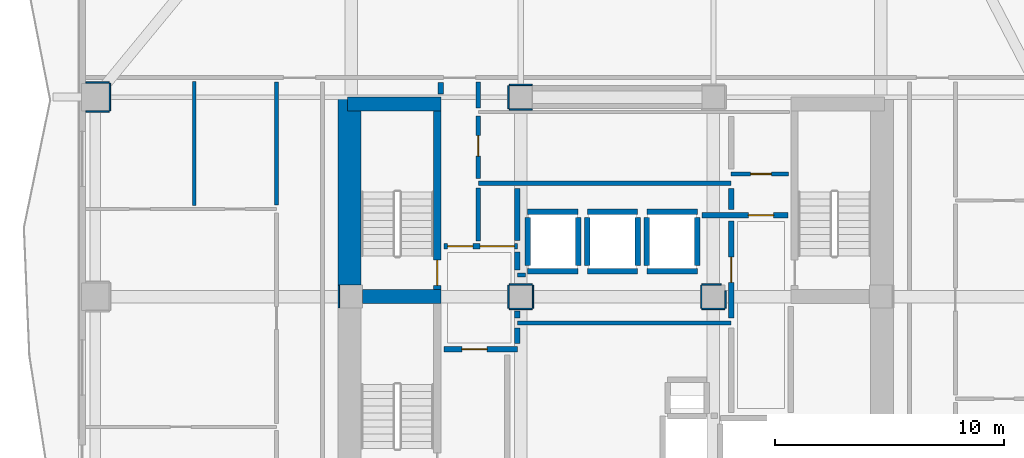
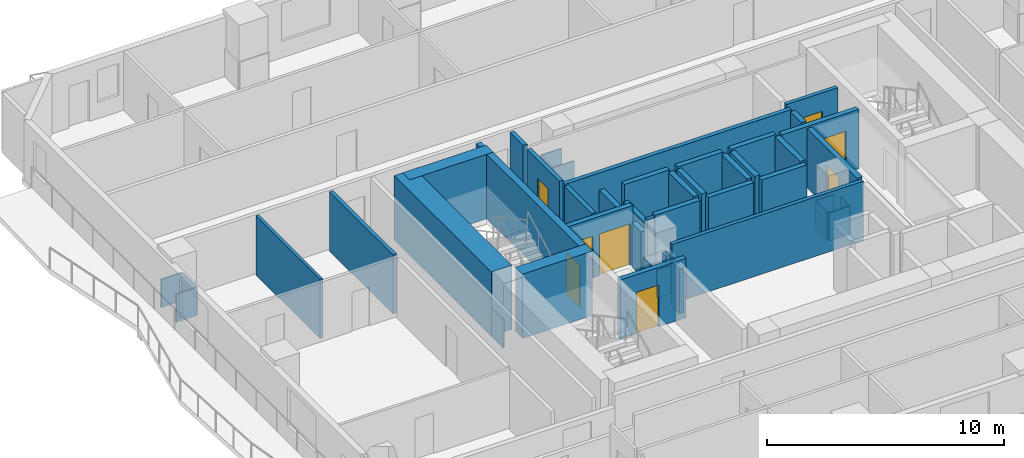
# One storey, part 4 of 12: 50 walls, 8 doors, 8 openings.
"""IFC4 building model written with IfcOpenShell, lengths in metres."""

from ifc_helpers import new_model, si_unit, direction, frame, frame_2d, origin, place, context, subcontext, project, spatial, rectangle, extrude, material, layer, layer_set, type_object, element, fill, save


model = new_model("IFC4")

# Units and contexts
model_context = context("Model", 3, precision=1e-05, world=origin(), true_north=direction((0.0, 1.0)))
body_context = subcontext(model_context, "Body", "Model", "MODEL_VIEW")
ifc_project = project(units=[si_unit("LENGTHUNIT", "METRE"), si_unit("AREAUNIT", "SQUARE_METRE"), si_unit("VOLUMEUNIT", "CUBIC_METRE"), si_unit("PLANEANGLEUNIT", "RADIAN"), si_unit("MASSUNIT", "GRAM", prefix="KILO")], contexts=[model_context])

# Site, building, storey
site_placement = place(None, origin())
site = spatial("IfcSite", under=ifc_project, at=site_placement, CompositionType="ELEMENT")
building_placement = place(site_placement, origin())
building = spatial("IfcBuilding", under=site, at=building_placement, Name="Solanera Arch Residences", CompositionType="ELEMENT")
storey_placement = place(building_placement, frame((0.0, 0.0, 96.1201171875)))
storey = spatial("IfcBuildingStorey", under=building, at=storey_placement, Name="L27", CompositionType="ELEMENT", Elevation=96.1201171875)

# Walls
ifc_material_1 = material(Name="Fire-Rated Gypsum Stud Partition", Category="gypsum")
ifc_layer_1 = layer(ifc_material_1, 0.06005859375)
ifc_layer_set_1 = layer_set([ifc_layer_1], Name="Fire-Rated Gypsum Stud Partition")
wall_type_1 = type_object("IfcWallType", Name="Column Acoustic Furring Wall 60", PredefinedType="PARTITIONING", material=ifc_layer_set_1)
for number, where, z_axis, x_axis, name in (
    (1, (20.300048828125, 38.867919921875, 0.0), (0.0, 0.0, 1.0), (1.0, 0.0, 0.0), "L27 Column Furring 3S"),
    (2, (20.300048828125, 39.931884765625, 0.0), (0.0, 0.0, 1.0), (1.0, 0.0, 0.0), "L27 Column Furring 3N"),
    (3, (20.26806640625, 38.89990234375, 0.0), (0.0, 0.0, 1.0), (0.0, 1.0, 0.0), "L27 Column Furring 3W"),
):
    element("IfcWall", number, at=place(storey_placement, frame(where, z_axis=z_axis, x_axis=x_axis)), inside=storey, type_object=wall_type_1, Name=name, PredefinedType="PARTITIONING", context=body_context, shape_type="SweptSolid", body=[
        extrude(rectangle(XDim=1.0, YDim=0.06005859375, at=frame_2d((0.5, 0.0))), origin(), (0.0, 0.0, 1.0), 1.449951171875),
    ])
wall_1_placement = place(storey_placement, frame((12.867919921875, 30.2099609375, 0.0), z_axis=(0.0, 0.0, 1.0), x_axis=(0.0, 1.0, 0.0)))
element("IfcWall", 4, at=wall_1_placement, inside=storey, type_object=wall_type_1, Name="L27 Column Furring 5W", PredefinedType="PARTITIONING", context=body_context, shape_type="SweptSolid", body=[
    extrude(rectangle(XDim=0.97998046875, YDim=0.06005859375, at=frame_2d((0.489990234375, 0.0))), origin(), (0.0, 0.0, 1.0), 1.449951171875),
])
for number, where, z_axis, x_axis, name in (
    (5, (20.300048828125, 30.16796875, 0.0), (0.0, 0.0, 1.0), (1.0, 0.0, 0.0), "L27 Column Furring 7S"),
    (6, (20.300048828125, 31.23193359375, 0.0), (0.0, 0.0, 1.0), (1.0, 0.0, 0.0), "L27 Column Furring 7N"),
    (7, (20.26806640625, 30.199951171875, 0.0), (0.0, 0.0, 1.0), (0.0, 1.0, 0.0), "L27 Column Furring 7W"),
    (8, (21.33203125, 30.199951171875, 0.0), (0.0, 0.0, 1.0), (0.0, 1.0, 0.0), "L27 Column Furring 7E"),
    (9, (28.699951171875, 30.16796875, 0.0), (0.0, 0.0, 1.0), (1.0, 0.0, 0.0), "L27 Column Furring 8S"),
):
    element("IfcWall", number, at=place(storey_placement, frame(where, z_axis=z_axis, x_axis=x_axis)), inside=storey, type_object=wall_type_1, Name=name, PredefinedType="PARTITIONING", context=body_context, shape_type="SweptSolid", body=[
        extrude(rectangle(XDim=1.0, YDim=0.06005859375, at=frame_2d((0.5, 0.0))), origin(), (0.0, 0.0, 1.0), 1.449951171875),
    ])
wall_2_placement = place(storey_placement, frame((28.699951171875, 31.23193359375, 0.0), z_axis=(0.0, 0.0, 1.0), x_axis=(1.0, 0.0, 0.0)))
element("IfcWall", 10, at=wall_2_placement, inside=storey, type_object=wall_type_1, Name="L27 Column Furring 8N", PredefinedType="PARTITIONING", context=body_context, shape_type="SweptSolid", body=[
    extrude(rectangle(XDim=0.8349609375, YDim=0.06005859375, at=frame_2d((0.41748046875, 0.0))), origin(), (0.0, 0.0, 1.0), 1.449951171875),
])
wall_3_placement = place(storey_placement, frame((28.66796875, 30.199951171875, 0.0), z_axis=(0.0, 0.0, 1.0), x_axis=(0.0, 1.0, 0.0)))
element("IfcWall", 11, at=wall_3_placement, inside=storey, type_object=wall_type_1, Name="L27 Column Furring 8W", PredefinedType="PARTITIONING", context=body_context, shape_type="SweptSolid", body=[
    extrude(rectangle(XDim=1.0, YDim=0.06005859375, at=frame_2d((0.5, 0.0))), origin(), (0.0, 0.0, 1.0), 1.449951171875),
])
wall_4_placement = place(storey_placement, frame((29.73193359375, 30.199951171875, 0.0), z_axis=(0.0, 0.0, 1.0), x_axis=(0.0, 1.0, 0.0)))
element("IfcWall", 12, at=wall_4_placement, inside=storey, type_object=wall_type_1, Name="L27 Column Furring 8E", PredefinedType="PARTITIONING", context=body_context, shape_type="SweptSolid", body=[
    extrude(rectangle(XDim=0.7470703125, YDim=0.06005859375, at=frame_2d((0.37353515625, 0.0))), origin(), (0.0, 0.0, 1.0), 1.449951171875),
])
for number, where, z_axis, x_axis, name in (
    (13, (1.830078125, 38.76806640625, 0.0), (0.0, 0.0, 1.0), (1.0, 0.0, 0.0), "L27 Column Furring 21S"),
    (14, (1.830078125, 40.031982421875, 0.0), (0.0, 0.0, 1.0), (1.0, 0.0, 0.0), "L27 Column Furring 21N"),
):
    element("IfcWall", number, at=place(storey_placement, frame(where, z_axis=z_axis, x_axis=x_axis)), inside=storey, type_object=wall_type_1, Name=name, PredefinedType="PARTITIONING", context=body_context, shape_type="SweptSolid", body=[
        extrude(rectangle(XDim=1.02001953125, YDim=0.06005859375, at=frame_2d((0.510009765625, 0.0))), origin(), (0.0, 0.0, 1.0), 1.449951171875),
    ])
wall_5_placement = place(storey_placement, frame((2.882080078125, 38.800048828125, 0.0), z_axis=(0.0, 0.0, 1.0), x_axis=(0.0, 1.0, 0.0)))
element("IfcWall", 15, at=wall_5_placement, inside=storey, type_object=wall_type_1, Name="L27 Column Furring 21E", PredefinedType="PARTITIONING", context=body_context, shape_type="SweptSolid", body=[
    extrude(rectangle(XDim=1.199951171875, YDim=0.06005859375, at=frame_2d((0.60009765625, 0.0))), origin(), (0.0, 0.0, 1.0), 1.449951171875),
])
ifc_material_2 = material(Name="Concrete C55/67 (f'c = 60 MPa)", Category="concrete")
ifc_layer_2 = layer(ifc_material_2, 1.0)
ifc_layer_set_2 = layer_set([ifc_layer_2], Name="Concrete C55/67 (f'c = 60 MPa)")
wall_type_2 = type_object("IfcWallType", Name="Core Shear Wall CW-1000", PredefinedType="SHEAR", material=ifc_layer_set_2)
wall_6_placement = place(storey_placement, frame((13.340087890625, 31.205078125, 0.0), z_axis=(0.0, 0.0, 1.0), x_axis=(0.0, 1.0, 0.0)))
element("IfcWall", 16, at=wall_6_placement, inside=storey, type_object=wall_type_2, Name="L27 West Core North Shear Wall", PredefinedType="SHEAR", context=body_context, shape_type="SweptSolid", body=[
    extrude(rectangle(XDim=8.19482421875, YDim=1.0, at=frame_2d((4.097412109375, 0.0))), origin(), (0.0, 0.0, 1.0), 3.31982421875),
])

# Wall, opening, door
ifc_material_3 = material(Name="Concrete C40/50 (f'c = 45 MPa)", Category="concrete")
ifc_layer_3 = layer(ifc_material_3, 0.320068359375)
ifc_layer_set_3 = layer_set([ifc_layer_3], Name="Concrete C40/50 (f'c = 45 MPa)")
wall_type_3 = type_object("IfcWallType", Name="Core Shear Wall CW-320", PredefinedType="SHEAR", material=ifc_layer_set_3)
wall_7_placement = place(storey_placement, frame((17.159912109375, 31.0, 0.0), z_axis=(0.0, 0.0, 1.0), x_axis=(0.0, 1.0, 0.0)))
wall_7 = element("IfcWall", 17, at=wall_7_placement, inside=storey, type_object=wall_type_3, Name="L27 Stair ST-T1 East Shear Wall", PredefinedType="SHEAR", context=body_context, shape_type="SweptSolid", body=[
    extrude(rectangle(XDim=7.800048828125, YDim=0.320068359375, at=frame_2d((3.89990234375, 0.0))), origin(), (0.0, 0.0, 1.0), 3.31982421875),
])
opening_1_placement = place(wall_7_placement, frame((0.18994140625, 0.0, 0.0)))
opening_1 = element("IfcOpeningElement", 18, at=opening_1_placement, cuts=wall_7, Name="Opening DF-01", PredefinedType="OPENING", context=body_context, shape_type="SweptSolid", body=[
    extrude(rectangle(XDim=1.10009765625, YDim=2.14990234375, at=frame_2d((0.550048828125, 1.074951171875))), frame((0.0, 0.169921875, 0.0), z_axis=(0.0, -1.0, 0.0), x_axis=(1.0, 0.0, 0.0)), (0.0, 0.0, 1.0), 0.3401),
])
ifc_material_4 = material(Name="Fire-Rated Architectural Hardwood", Category="wood")
door_type_1 = type_object("IfcDoorType", Name="Stair Exit Fire Door DF-01", OperationType="NOTDEFINED", PredefinedType="DOOR", material=ifc_material_4)
door_1_placement = place(opening_1_placement, origin())
door_1 = element("IfcDoor", 19, at=door_1_placement, inside=storey, type_object=door_type_1, Name="DR-L27-STAIR-ST-T1", OperationType="SINGLE_SWING_RIGHT", OverallHeight=2.14990234375, OverallWidth=1.10009765625, PredefinedType="DOOR", context=body_context, shape_type="SweptSolid", body=[
    extrude(rectangle(XDim=1.10009765625, YDim=2.14990234375, at=frame_2d((0.550048828125, 1.074951171875))), frame((0.0, 0.02490234375, 0.0), z_axis=(0.0, -1.0, 0.0), x_axis=(1.0, 0.0, 0.0)), (0.0, 0.0, 1.0), 0.050048828125),
])
fill(opening_1, door_1)

# Walls
ifc_material_5 = material(Name="Concrete C40/50 (f'c = 45 MPa)", Category="concrete")
ifc_layer_4 = layer(ifc_material_5, 0.60009765625)
ifc_layer_set_4 = layer_set([ifc_layer_4], Name="Concrete C40/50 (f'c = 45 MPa)")
wall_type_4 = type_object("IfcWallType", Name="Core Shear Wall CW-600", PredefinedType="SHEAR", material=ifc_layer_set_4)
wall_8_placement = place(storey_placement, frame((13.239990234375, 39.10009765625, 0.0), z_axis=(0.0, 0.0, 1.0), x_axis=(1.0, 0.0, 0.0)))
element("IfcWall", 20, at=wall_8_placement, inside=storey, type_object=wall_type_4, Name="L27 North-West Core Shear Wall", PredefinedType="SHEAR", context=body_context, shape_type="SweptSolid", body=[
    extrude(rectangle(XDim=4.080078125, YDim=0.60009765625, at=frame_2d((2.0400390625, 0.0))), origin(), (0.0, 0.0, 1.0), 3.31982421875),
])
wall_9_placement = place(storey_placement, frame((13.905029296875, 30.699951171875, 0.0), z_axis=(0.0, 0.0, 1.0), x_axis=(1.0, 0.0, 0.0)))
element("IfcWall", 21, at=wall_9_placement, inside=storey, type_object=wall_type_4, Name="L27 West Stair Divider Shear Wall", PredefinedType="SHEAR", context=body_context, shape_type="SweptSolid", body=[
    extrude(rectangle(XDim=3.4150390625, YDim=0.60009765625, at=frame_2d((1.70751953125, 0.0))), origin(), (0.0, 0.0, 1.0), 3.31982421875),
])
ifc_material_6 = material(Name="Autoclaved Aerated Concrete Blockwork", Category="masonry")
ifc_layer_5 = layer(ifc_material_6, 0.179931640625)
ifc_layer_set_5 = layer_set([ifc_layer_5], Name="Autoclaved Aerated Concrete Blockwork")
wall_type_5 = type_object("IfcWallType", Name="Corridor Fire Partition 180", PredefinedType="PARTITIONING", material=ifc_layer_set_5)
wall_10_placement = place(storey_placement, frame((20.64990234375, 29.550048828125, 0.0), z_axis=(0.0, 0.0, 1.0), x_axis=(1.0, 0.0, 0.0)))
element("IfcWall", 22, at=wall_10_placement, inside=storey, type_object=wall_type_5, Name="L27 Interior Partition H8", PredefinedType="PARTITIONING", context=body_context, shape_type="SweptSolid", body=[
    extrude(rectangle(XDim=9.3251953125, YDim=0.179931640625, at=frame_2d((4.66259765625, 0.0))), origin(), (0.0, 0.0, 1.0), 3.059814453125),
])
wall_11_placement = place(storey_placement, frame((20.64990234375, 31.64990234375, 0.0), z_axis=(0.0, 0.0, 1.0), x_axis=(1.0, 0.0, 0.0)))
element("IfcWall", 23, at=wall_11_placement, inside=storey, type_object=wall_type_5, Name="L27 Interior Partition H9", PredefinedType="PARTITIONING", context=body_context, shape_type="SweptSolid", body=[
    extrude(rectangle(XDim=0.357177734375, YDim=0.179931640625, at=frame_2d((0.1787109375, 0.0))), origin(), (0.0, 0.0, 1.0), 3.059814453125),
])

# Wall, opening, door
wall_12_placement = place(storey_placement, frame((29.97509765625, 36.050048828125, 0.0), z_axis=(0.0, 0.0, 1.0), x_axis=(1.0, 0.0, 0.0)))
wall_12 = element("IfcWall", 24, at=wall_12_placement, inside=storey, type_object=wall_type_5, Name="L27 Interior Partition H10", PredefinedType="PARTITIONING", context=body_context, shape_type="SweptSolid", body=[
    extrude(rectangle(XDim=2.5048828125, YDim=0.179931640625, at=frame_2d((1.25244140625, 0.0))), origin(), (0.0, 0.0, 1.0), 3.059814453125),
])
opening_2_placement = place(wall_12_placement, frame((0.85205078125, 0.0, 0.0)))
opening_2 = element("IfcOpeningElement", 25, at=opening_2_placement, cuts=wall_12, Name="Opening DI-02", PredefinedType="OPENING", context=body_context, shape_type="SweptSolid", body=[
    extrude(rectangle(XDim=0.89990234375, YDim=2.10009765625, at=frame_2d((0.449951171875, 1.050048828125))), frame((0.0, 0.10009765625, 0.0), z_axis=(0.0, -1.0, 0.0), x_axis=(1.0, 0.0, 0.0)), (0.0, 0.0, 1.0), 0.1999),
])
ifc_material_7 = material(Name="Fire-Rated Architectural Hardwood", Category="wood")
door_type_2 = type_object("IfcDoorType", Name="Suite Room Swing Door DI-02", OperationType="NOTDEFINED", PredefinedType="DOOR", material=ifc_material_7)
door_2_placement = place(opening_2_placement, origin())
door_2 = element("IfcDoor", 26, at=door_2_placement, inside=storey, type_object=door_type_2, Name="DR-L27-IN-015", OperationType="SINGLE_SWING_RIGHT", OverallHeight=2.10009765625, OverallWidth=0.89990234375, PredefinedType="DOOR", context=body_context, shape_type="SweptSolid", body=[
    extrude(rectangle(XDim=0.89990234375, YDim=2.10009765625, at=frame_2d((0.449951171875, 1.050048828125))), frame((0.0, 0.02490234375, 0.0), z_axis=(0.0, -1.0, 0.0), x_axis=(1.0, 0.0, 0.0)), (0.0, 0.0, 1.0), 0.050048828125),
])
fill(opening_2, door_2)

# Walls
wall_13_placement = place(storey_placement, frame((10.14990234375, 34.68798828125, 0.0), z_axis=(0.0, 0.0, 1.0), x_axis=(0.0, 1.0, 0.0)))
element("IfcWall", 27, at=wall_13_placement, inside=storey, type_object=wall_type_5, Name="L27 Interior Partition V8 3", PredefinedType="PARTITIONING", context=body_context, shape_type="SweptSolid", body=[
    extrude(rectangle(XDim=5.3740234375, YDim=0.179931640625, at=frame_2d((2.68701171875, 0.0))), origin(), (0.0, 0.0, 1.0), 3.059814453125),
])
ifc_material_8 = material(Name="Autoclaved Aerated Concrete Blockwork", Category="masonry")
ifc_layer_6 = layer(ifc_material_8, 0.199951171875)
ifc_layer_set_6 = layer_set([ifc_layer_6], Name="Autoclaved Aerated Concrete Blockwork")
wall_type_6 = type_object("IfcWallType", Name="Party Wall Acoustic 200", PredefinedType="PARTITIONING", material=ifc_layer_set_6)
wall_14_placement = place(storey_placement, frame((18.949951171875, 35.64990234375, 0.0), z_axis=(0.0, 0.0, 1.0), x_axis=(1.0, 0.0, 0.0)))
element("IfcWall", 28, at=wall_14_placement, inside=storey, type_object=wall_type_6, Name="L27 Interior Partition H6", PredefinedType="PARTITIONING", context=body_context, shape_type="SweptSolid", body=[
    extrude(rectangle(XDim=11.025146484375, YDim=0.199951171875, at=frame_2d((5.5126953125, 0.0))), origin(), (0.0, 0.0, 1.0), 3.059814453125),
])
wall_15_placement = place(storey_placement, frame((18.949951171875, 33.1279296875, 0.0), z_axis=(0.0, 0.0, 1.0), x_axis=(0.0, 1.0, 0.0)))
element("IfcWall", 29, at=wall_15_placement, inside=storey, type_object=wall_type_6, Name="L27 Interior Partition V6 1", PredefinedType="PARTITIONING", context=body_context, shape_type="SweptSolid", body=[
    extrude(rectangle(XDim=2.31396484375, YDim=0.199951171875, at=frame_2d((1.156982421875, 0.0))), origin(), (0.0, 0.0, 1.0), 3.059814453125),
])

# Wall, opening, door
wall_16_placement = place(storey_placement, frame((18.949951171875, 35.85791015625, 0.0), z_axis=(0.0, 0.0, 1.0), x_axis=(0.0, 1.0, 0.0)))
wall_16 = element("IfcWall", 30, at=wall_16_placement, inside=storey, type_object=wall_type_6, Name="L27 Interior Partition V6 2", PredefinedType="PARTITIONING", context=body_context, shape_type="SweptSolid", body=[
    extrude(rectangle(XDim=2.72412109375, YDim=0.199951171875, at=frame_2d((1.362060546875, 0.0))), origin(), (0.0, 0.0, 1.0), 3.059814453125),
])
opening_3_placement = place(wall_16_placement, frame((0.967041015625, 0.0, 0.0)))
opening_3 = element("IfcOpeningElement", 31, at=opening_3_placement, cuts=wall_16, Name="Opening DI-02", PredefinedType="OPENING", context=body_context, shape_type="SweptSolid", body=[
    extrude(rectangle(XDim=0.89990234375, YDim=2.10009765625, at=frame_2d((0.449951171875, 1.050048828125))), frame((0.0, 0.110107421875, 0.0), z_axis=(0.0, -1.0, 0.0), x_axis=(1.0, 0.0, 0.0)), (0.0, 0.0, 1.0), 0.22),
])
door_3_placement = place(opening_3_placement, origin())
door_3 = element("IfcDoor", 32, at=door_3_placement, inside=storey, type_object=door_type_2, Name="DR-L27-IN-016", OperationType="SINGLE_SWING_LEFT", OverallHeight=2.10009765625, OverallWidth=0.89990234375, PredefinedType="DOOR", context=body_context, shape_type="SweptSolid", body=[
    extrude(rectangle(XDim=0.89990234375, YDim=2.10009765625, at=frame_2d((0.449951171875, 1.050048828125))), frame((0.0, 0.02490234375, 0.0), z_axis=(0.0, -1.0, 0.0), x_axis=(1.0, 0.0, 0.0)), (0.0, 0.0, 1.0), 0.050048828125),
])
fill(opening_3, door_3)

# Walls
wall_17_placement = place(storey_placement, frame((18.949951171875, 38.91796875, 0.0), z_axis=(0.0, 0.0, 1.0), x_axis=(0.0, 1.0, 0.0)))
element("IfcWall", 33, at=wall_17_placement, inside=storey, type_object=wall_type_6, Name="L27 Interior Partition V6 3", PredefinedType="PARTITIONING", context=body_context, shape_type="SweptSolid", body=[
    extrude(rectangle(XDim=1.134033203125, YDim=0.199951171875, at=frame_2d((0.56689453125, 0.0))), origin(), (0.0, 0.0, 1.0), 3.059814453125),
])
ifc_material_9 = material(Name="Autoclaved Aerated Concrete Blockwork", Category="masonry")
ifc_layer_7 = layer(ifc_material_9, 0.239990234375)
ifc_layer_set_7 = layer_set([ifc_layer_7], Name="Autoclaved Aerated Concrete Blockwork")
wall_type_7 = type_object("IfcWallType", Name="Shaft Wall Fire-Rated 240", PredefinedType="PARTITIONING", material=ifc_layer_set_7)
for number, where, z_axis, x_axis, name in (
    (34, (21.10009765625, 31.800048828125, 0.0), (0.0, 0.0, 1.0), (1.0, 0.0, 0.0), "L27 Lift PL-M1 Hoistway Wall S"),
    (35, (21.10009765625, 34.39990234375, 0.0), (0.0, 0.0, 1.0), (1.0, 0.0, 0.0), "L27 Lift PL-M1 Hoistway Wall N"),
):
    element("IfcWall", number, at=place(storey_placement, frame(where, z_axis=z_axis, x_axis=x_axis)), inside=storey, type_object=wall_type_7, Name=name, PredefinedType="PARTITIONING", context=body_context, shape_type="SweptSolid", body=[
        extrude(rectangle(XDim=2.199951171875, YDim=0.239990234375, at=frame_2d((1.10009765625, 0.0))), origin(), (0.0, 0.0, 1.0), 3.059814453125),
    ])
wall_18_placement = place(storey_placement, frame((21.10009765625, 32.048095703125, 0.0), z_axis=(0.0, 0.0, 1.0), x_axis=(0.0, 1.0, 0.0)))
element("IfcWall", 36, at=wall_18_placement, inside=storey, type_object=wall_type_7, Name="L27 Lift PL-M1 Hoistway Wall W", PredefinedType="PARTITIONING", context=body_context, shape_type="SweptSolid", body=[
    extrude(rectangle(XDim=2.10400390625, YDim=0.239990234375, at=frame_2d((1.052001953125, 0.0))), origin(), (0.0, 0.0, 1.0), 2.294921875),
])
wall_19_placement = place(storey_placement, frame((23.300048828125, 32.048095703125, 0.0), z_axis=(0.0, 0.0, 1.0), x_axis=(0.0, 1.0, 0.0)))
element("IfcWall", 37, at=wall_19_placement, inside=storey, type_object=wall_type_7, Name="L27 Lift PL-M1 Hoistway Wall E", PredefinedType="PARTITIONING", context=body_context, shape_type="SweptSolid", body=[
    extrude(rectangle(XDim=2.10400390625, YDim=0.239990234375, at=frame_2d((1.052001953125, 0.0))), origin(), (0.0, 0.0, 1.0), 3.059814453125),
])
for number, where, z_axis, x_axis, name in (
    (38, (23.699951171875, 31.800048828125, 0.0), (0.0, 0.0, 1.0), (1.0, 0.0, 0.0), "L27 Lift PL-M2 Hoistway Wall S"),
    (39, (23.699951171875, 34.39990234375, 0.0), (0.0, 0.0, 1.0), (1.0, 0.0, 0.0), "L27 Lift PL-M2 Hoistway Wall N"),
):
    element("IfcWall", number, at=place(storey_placement, frame(where, z_axis=z_axis, x_axis=x_axis)), inside=storey, type_object=wall_type_7, Name=name, PredefinedType="PARTITIONING", context=body_context, shape_type="SweptSolid", body=[
        extrude(rectangle(XDim=2.199951171875, YDim=0.239990234375, at=frame_2d((1.10009765625, 0.0))), origin(), (0.0, 0.0, 1.0), 3.059814453125),
    ])
for number, where, z_axis, x_axis, name in (
    (40, (23.699951171875, 32.048095703125, 0.0), (0.0, 0.0, 1.0), (0.0, 1.0, 0.0), "L27 Lift PL-M2 Hoistway Wall W"),
    (41, (25.89990234375, 32.048095703125, 0.0), (0.0, 0.0, 1.0), (0.0, 1.0, 0.0), "L27 Lift PL-M2 Hoistway Wall E"),
):
    element("IfcWall", number, at=place(storey_placement, frame(where, z_axis=z_axis, x_axis=x_axis)), inside=storey, type_object=wall_type_7, Name=name, PredefinedType="PARTITIONING", context=body_context, shape_type="SweptSolid", body=[
        extrude(rectangle(XDim=2.10400390625, YDim=0.239990234375, at=frame_2d((1.052001953125, 0.0))), origin(), (0.0, 0.0, 1.0), 3.059814453125),
    ])
for number, where, z_axis, x_axis, name in (
    (42, (26.300048828125, 31.800048828125, 0.0), (0.0, 0.0, 1.0), (1.0, 0.0, 0.0), "L27 Lift PL-M3 Hoistway Wall S"),
    (43, (26.300048828125, 34.39990234375, 0.0), (0.0, 0.0, 1.0), (1.0, 0.0, 0.0), "L27 Lift PL-M3 Hoistway Wall N"),
):
    element("IfcWall", number, at=place(storey_placement, frame(where, z_axis=z_axis, x_axis=x_axis)), inside=storey, type_object=wall_type_7, Name=name, PredefinedType="PARTITIONING", context=body_context, shape_type="SweptSolid", body=[
        extrude(rectangle(XDim=2.199951171875, YDim=0.239990234375, at=frame_2d((1.10009765625, 0.0))), origin(), (0.0, 0.0, 1.0), 3.059814453125),
    ])
for number, where, z_axis, x_axis, name in (
    (44, (26.300048828125, 32.048095703125, 0.0), (0.0, 0.0, 1.0), (0.0, 1.0, 0.0), "L27 Lift PL-M3 Hoistway Wall W"),
    (45, (28.5, 32.048095703125, 0.0), (0.0, 0.0, 1.0), (0.0, 1.0, 0.0), "L27 Lift PL-M3 Hoistway Wall E"),
):
    element("IfcWall", number, at=place(storey_placement, frame(where, z_axis=z_axis, x_axis=x_axis)), inside=storey, type_object=wall_type_7, Name=name, PredefinedType="PARTITIONING", context=body_context, shape_type="SweptSolid", body=[
        extrude(rectangle(XDim=2.10400390625, YDim=0.239990234375, at=frame_2d((1.052001953125, 0.0))), origin(), (0.0, 0.0, 1.0), 3.059814453125),
    ])

# Wall, opening, door
wall_20_placement = place(storey_placement, frame((17.449951171875, 28.39990234375, 0.0), z_axis=(0.0, 0.0, 1.0), x_axis=(1.0, 0.0, 0.0)))
wall_20 = element("IfcWall", 46, at=wall_20_placement, inside=storey, type_object=wall_type_7, Name="L27 Interior Partition H3", PredefinedType="PARTITIONING", context=body_context, shape_type="SweptSolid", body=[
    extrude(rectangle(XDim=3.199951171875, YDim=0.239990234375, at=frame_2d((1.60009765625, 0.0))), origin(), (0.0, 0.0, 1.0), 3.059814453125),
])
opening_4_placement = place(wall_20_placement, frame((0.783935546875, 0.0, 0.0)))
opening_4 = element("IfcOpeningElement", 47, at=opening_4_placement, cuts=wall_20, Name="Opening DF-02", PredefinedType="OPENING", context=body_context, shape_type="SweptSolid", body=[
    extrude(rectangle(XDim=1.10009765625, YDim=2.14990234375, at=frame_2d((0.550048828125, 1.074951171875))), frame((0.0, 0.1298828125, 0.0), z_axis=(0.0, -1.0, 0.0), x_axis=(1.0, 0.0, 0.0)), (0.0, 0.0, 1.0), 0.26),
])
ifc_material_10 = material(Name="Fire-Rated Architectural Hardwood", Category="wood")
door_type_3 = type_object("IfcDoorType", Name="Firefighting Lobby Fire Door DF-02", OperationType="NOTDEFINED", PredefinedType="DOOR", material=ifc_material_10)
door_4_placement = place(opening_4_placement, origin())
door_4 = element("IfcDoor", 48, at=door_4_placement, inside=storey, type_object=door_type_3, Name="DR-L27-IN-004", OperationType="SINGLE_SWING_LEFT", OverallHeight=2.14990234375, OverallWidth=1.10009765625, PredefinedType="DOOR", context=body_context, shape_type="SweptSolid", body=[
    extrude(rectangle(XDim=1.10009765625, YDim=2.14990234375, at=frame_2d((0.550048828125, 1.074951171875))), frame((0.0, 0.02490234375, 0.0), z_axis=(0.0, -1.0, 0.0), x_axis=(1.0, 0.0, 0.0)), (0.0, 0.0, 1.0), 0.050048828125),
])
fill(opening_4, door_4)

# Wall, openings, doors
wall_21_placement = place(storey_placement, frame((17.449951171875, 32.89990234375, 0.0), z_axis=(0.0, 0.0, 1.0), x_axis=(1.0, 0.0, 0.0)))
wall_21 = element("IfcWall", 49, at=wall_21_placement, inside=storey, type_object=wall_type_7, Name="L27 Interior Partition H4", PredefinedType="PARTITIONING", context=body_context, shape_type="SweptSolid", body=[
    extrude(rectangle(XDim=3.199951171875, YDim=0.239990234375, at=frame_2d((1.60009765625, 0.0))), origin(), (0.0, 0.0, 1.0), 3.059814453125),
])
opening_5_placement = place(wall_21_placement, frame((0.158935546875, 0.0, 0.0)))
opening_5 = element("IfcOpeningElement", 50, at=opening_5_placement, cuts=wall_21, Name="Opening DF-02", PredefinedType="OPENING", context=body_context, shape_type="SweptSolid", body=[
    extrude(rectangle(XDim=1.10009765625, YDim=2.14990234375, at=frame_2d((0.550048828125, 1.074951171875))), frame((0.0, 0.1298828125, 0.0), z_axis=(0.0, -1.0, 0.0), x_axis=(1.0, 0.0, 0.0)), (0.0, 0.0, 1.0), 0.26),
])
opening_6_placement = place(wall_21_placement, frame((1.575927734375, 0.0, 0.0)))
opening_6 = element("IfcOpeningElement", 51, at=opening_6_placement, cuts=wall_21, Name="Opening DP-01", PredefinedType="OPENING", context=body_context, shape_type="SweptSolid", body=[
    extrude(rectangle(XDim=1.5, YDim=2.14990234375, at=frame_2d((0.75, 1.074951171875))), frame((0.0, 0.1298828125, 0.0), z_axis=(0.0, -1.0, 0.0), x_axis=(1.0, 0.0, 0.0)), (0.0, 0.0, 1.0), 0.26),
])
door_5_placement = place(opening_5_placement, origin())
door_5 = element("IfcDoor", 52, at=door_5_placement, inside=storey, type_object=door_type_3, Name="DR-L27-IN-005", OperationType="SINGLE_SWING_RIGHT", OverallHeight=2.14990234375, OverallWidth=1.10009765625, PredefinedType="DOOR", context=body_context, shape_type="SweptSolid", body=[
    extrude(rectangle(XDim=1.10009765625, YDim=2.14990234375, at=frame_2d((0.550048828125, 1.074951171875))), frame((0.0, 0.02490234375, 0.0), z_axis=(0.0, -1.0, 0.0), x_axis=(1.0, 0.0, 0.0)), (0.0, 0.0, 1.0), 0.050048828125),
])
fill(opening_5, door_5)
ifc_material_11 = material(Name="Fire-Rated Architectural Hardwood", Category="wood")
door_type_4 = type_object("IfcDoorType", Name="Plant Double Fire Door DP-01", OperationType="NOTDEFINED", PredefinedType="DOOR", material=ifc_material_11)
door_6_placement = place(opening_6_placement, origin())
door_6 = element("IfcDoor", 53, at=door_6_placement, inside=storey, type_object=door_type_4, Name="DR-L27-IN-014", OperationType="SINGLE_SWING_LEFT", OverallHeight=2.14990234375, OverallWidth=1.5, PredefinedType="DOOR", context=body_context, shape_type="SweptSolid", body=[
    extrude(rectangle(XDim=1.5, YDim=2.14990234375, at=frame_2d((0.75, 1.074951171875))), frame((0.0, 0.02490234375, 0.0), z_axis=(0.0, -1.0, 0.0), x_axis=(1.0, 0.0, 0.0)), (0.0, 0.0, 1.0), 0.050048828125),
])
fill(opening_6, door_6)

# Wall, opening, door
wall_22_placement = place(storey_placement, frame((28.701904296875, 34.25, 0.0), z_axis=(0.0, 0.0, 1.0), x_axis=(1.0, 0.0, 0.0)))
wall_22 = element("IfcWall", 54, at=wall_22_placement, inside=storey, type_object=wall_type_7, Name="L27 Interior Partition H5", PredefinedType="PARTITIONING", context=body_context, shape_type="SweptSolid", body=[
    extrude(rectangle(XDim=3.748046875, YDim=0.239990234375, at=frame_2d((1.8740234375, 0.0))), origin(), (0.0, 0.0, 1.0), 3.059814453125),
])
opening_7_placement = place(wall_22_placement, frame((2.02490234375, 0.0, 0.0)))
opening_7 = element("IfcOpeningElement", 55, at=opening_7_placement, cuts=wall_22, Name="Opening DF-02", PredefinedType="OPENING", context=body_context, shape_type="SweptSolid", body=[
    extrude(rectangle(XDim=1.10009765625, YDim=2.14990234375, at=frame_2d((0.550048828125, 1.074951171875))), frame((0.0, 0.1298828125, 0.0), z_axis=(0.0, -1.0, 0.0), x_axis=(1.0, 0.0, 0.0)), (0.0, 0.0, 1.0), 0.26),
])
door_7_placement = place(opening_7_placement, origin())
door_7 = element("IfcDoor", 56, at=door_7_placement, inside=storey, type_object=door_type_3, Name="DR-L27-IN-007", OperationType="SINGLE_SWING_RIGHT", OverallHeight=2.14990234375, OverallWidth=1.10009765625, PredefinedType="DOOR", context=body_context, shape_type="SweptSolid", body=[
    extrude(rectangle(XDim=1.10009765625, YDim=2.14990234375, at=frame_2d((0.550048828125, 1.074951171875))), frame((0.0, 0.02490234375, 0.0), z_axis=(0.0, -1.0, 0.0), x_axis=(1.0, 0.0, 0.0)), (0.0, 0.0, 1.0), 0.050048828125),
])
fill(opening_7, door_7)

# Walls
wall_23_placement = place(storey_placement, frame((17.320068359375, 39.530029296875, 0.0), z_axis=(0.0, 0.0, 1.0), x_axis=(0.0, 1.0, 0.0)))
element("IfcWall", 57, at=wall_23_placement, inside=storey, type_object=wall_type_7, Name="L27 Interior Partition V1", PredefinedType="PARTITIONING", context=body_context, shape_type="SweptSolid", body=[
    extrude(rectangle(XDim=0.501953125, YDim=0.239990234375, at=frame_2d((0.2509765625, 0.0))), origin(), (0.0, 0.0, 1.0), 3.059814453125),
])
wall_24_placement = place(storey_placement, frame((20.64990234375, 28.64794921875, 0.0), z_axis=(0.0, 0.0, 1.0), x_axis=(0.0, 1.0, 0.0)))
element("IfcWall", 58, at=wall_24_placement, inside=storey, type_object=wall_type_7, Name="L27 Interior Partition V3 1", PredefinedType="PARTITIONING", context=body_context, shape_type="SweptSolid", body=[
    extrude(rectangle(XDim=0.68408203125, YDim=0.239990234375, at=frame_2d((0.342041015625, 0.0))), origin(), (0.0, 0.0, 1.0), 2.294921875),
])
wall_25_placement = place(storey_placement, frame((20.64990234375, 29.76806640625, 0.0), z_axis=(0.0, 0.0, 1.0), x_axis=(0.0, 1.0, 0.0)))
element("IfcWall", 59, at=wall_25_placement, inside=storey, type_object=wall_type_7, Name="L27 Interior Partition V3 2", PredefinedType="PARTITIONING", context=body_context, shape_type="SweptSolid", body=[
    extrude(rectangle(XDim=0.300048828125, YDim=0.239990234375, at=frame_2d((0.14990234375, 0.0))), origin(), (0.0, 0.0, 1.0), 2.294921875),
])
wall_26_placement = place(storey_placement, frame((20.64990234375, 31.867919921875, 0.0), z_axis=(0.0, 0.0, 1.0), x_axis=(0.0, 1.0, 0.0)))
element("IfcWall", 60, at=wall_26_placement, inside=storey, type_object=wall_type_7, Name="L27 Interior Partition V3 3", PredefinedType="PARTITIONING", context=body_context, shape_type="SweptSolid", body=[
    extrude(rectangle(XDim=0.7841796875, YDim=0.239990234375, at=frame_2d((0.39208984375, 0.0))), origin(), (0.0, 0.0, 1.0), 2.294921875),
])
wall_27_placement = place(storey_placement, frame((20.64990234375, 33.14794921875, 0.0), z_axis=(0.0, 0.0, 1.0), x_axis=(0.0, 1.0, 0.0)))
element("IfcWall", 61, at=wall_27_placement, inside=storey, type_object=wall_type_7, Name="L27 Interior Partition V3 4", PredefinedType="PARTITIONING", context=body_context, shape_type="SweptSolid", body=[
    extrude(rectangle(XDim=2.274169921875, YDim=0.239990234375, at=frame_2d((1.13720703125, 0.0))), origin(), (0.0, 0.0, 1.0), 2.294921875),
])

# Wall, opening, door
wall_28_placement = place(storey_placement, frame((29.97509765625, 29.76806640625, 0.0), z_axis=(0.0, 0.0, 1.0), x_axis=(0.0, 1.0, 0.0)))
wall_28 = element("IfcWall", 62, at=wall_28_placement, inside=storey, type_object=wall_type_7, Name="L27 Interior Partition V4 2", PredefinedType="PARTITIONING", context=body_context, shape_type="SweptSolid", body=[
    extrude(rectangle(XDim=4.23388671875, YDim=0.239990234375, at=frame_2d((2.116943359375, 0.0))), origin(), (0.0, 0.0, 1.0), 3.059814453125),
])
opening_8_placement = place(wall_28_placement, frame((1.556884765625, 0.0, 0.0)))
opening_8 = element("IfcOpeningElement", 63, at=opening_8_placement, cuts=wall_28, Name="Opening DF-02", PredefinedType="OPENING", context=body_context, shape_type="SweptSolid", body=[
    extrude(rectangle(XDim=1.10009765625, YDim=2.14990234375, at=frame_2d((0.550048828125, 1.074951171875))), frame((0.0, 0.1298828125, 0.0), z_axis=(0.0, -1.0, 0.0), x_axis=(1.0, 0.0, 0.0)), (0.0, 0.0, 1.0), 0.26),
])
door_8_placement = place(opening_8_placement, origin())
door_8 = element("IfcDoor", 64, at=door_8_placement, inside=storey, type_object=door_type_3, Name="DR-L27-IN-006", OperationType="SINGLE_SWING_LEFT", OverallHeight=2.14990234375, OverallWidth=1.10009765625, PredefinedType="DOOR", context=body_context, shape_type="SweptSolid", body=[
    extrude(rectangle(XDim=1.10009765625, YDim=2.14990234375, at=frame_2d((0.550048828125, 1.074951171875))), frame((0.0, 0.02490234375, 0.0), z_axis=(0.0, -1.0, 0.0), x_axis=(1.0, 0.0, 0.0)), (0.0, 0.0, 1.0), 0.050048828125),
])
fill(opening_8, door_8)

# Walls
wall_29_placement = place(storey_placement, frame((29.97509765625, 34.498046875, 0.0), z_axis=(0.0, 0.0, 1.0), x_axis=(0.0, 1.0, 0.0)))
element("IfcWall", 65, at=wall_29_placement, inside=storey, type_object=wall_type_7, Name="L27 Interior Partition V4 3", PredefinedType="PARTITIONING", context=body_context, shape_type="SweptSolid", body=[
    extrude(rectangle(XDim=0.924072265625, YDim=0.239990234375, at=frame_2d((0.4619140625, 0.0))), origin(), (0.0, 0.0, 1.0), 3.059814453125),
])
ifc_material_12 = material(Name="Autoclaved Aerated Concrete Blockwork", Category="masonry")
ifc_layer_8 = layer(ifc_material_12, 0.139892578125)
ifc_layer_set_8 = layer_set([ifc_layer_8], Name="Autoclaved Aerated Concrete Blockwork")
wall_type_8 = type_object("IfcWallType", Name="Wet-Room Partition 140", PredefinedType="PARTITIONING", material=ifc_layer_set_8)
wall_30_placement = place(storey_placement, frame((6.55908203125, 34.66796875, 0.0), z_axis=(0.0, 0.0, 1.0), x_axis=(0.0, 1.0, 0.0)))
element("IfcWall", 66, at=wall_30_placement, inside=storey, type_object=wall_type_8, Name="L27 Interior Partition V15", PredefinedType="PARTITIONING", context=body_context, shape_type="SweptSolid", body=[
    extrude(rectangle(XDim=5.4140625, YDim=0.139892578125, at=frame_2d((2.70703125, 0.0))), origin(), (0.0, 0.0, 1.0), 3.059814453125),
])

save(model, "model.ifc")
